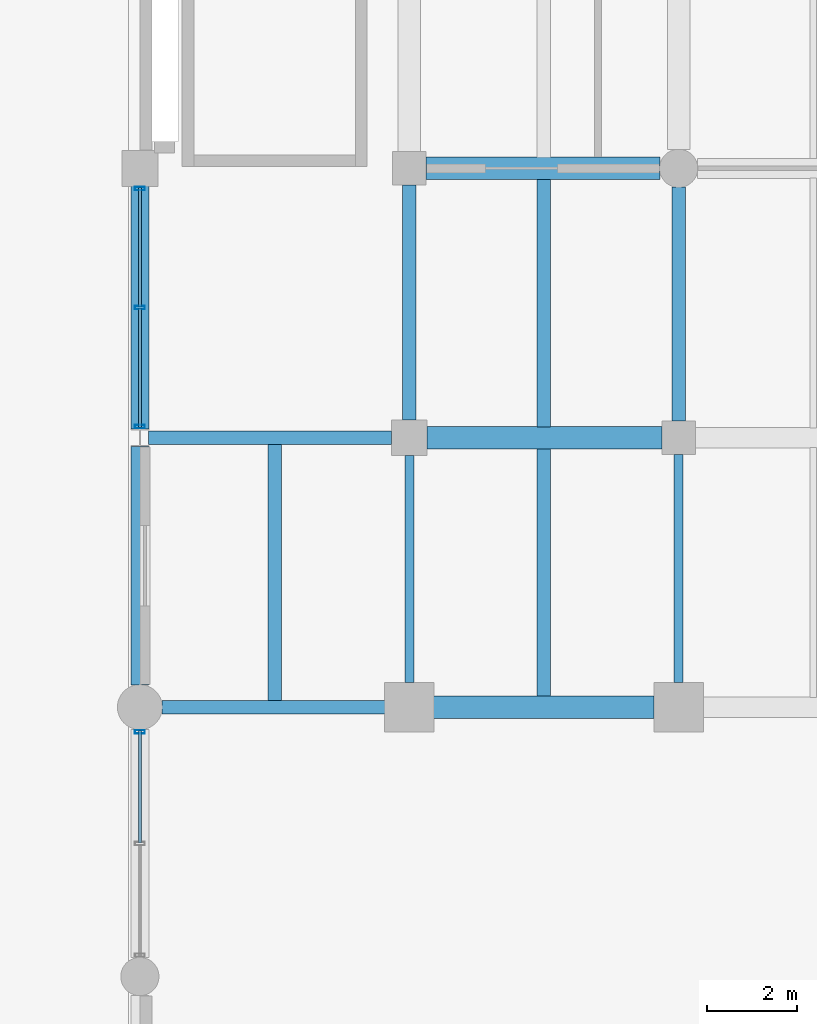
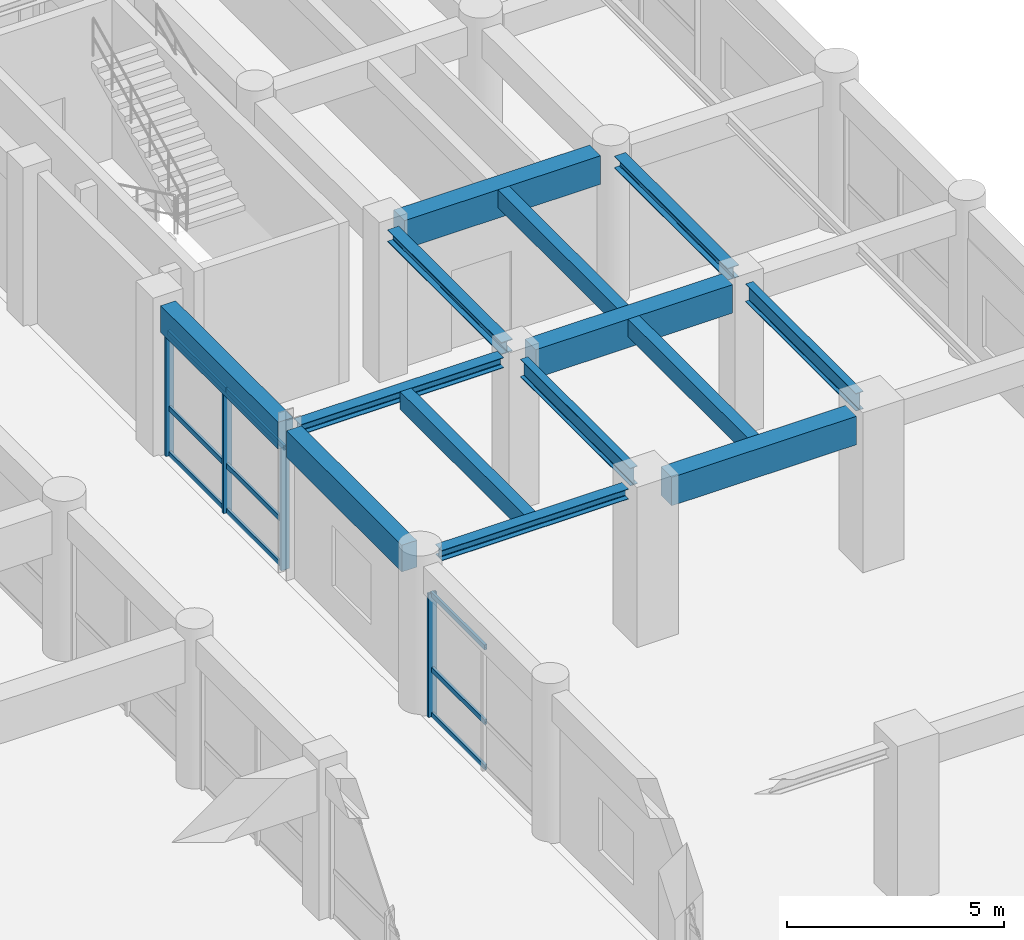
# One storey, part 73 of 133: 14 beams, 13 members, 2 elements without a shape of their own.
"""IFC4 building model written with IfcOpenShell, lengths in metres."""

from ifc_helpers import new_model, si_unit, direction, frame, origin, origin_2d, place, context, subcontext, project, spatial, rectangle, hollow_rectangle, i_section, extrude, material, material_profile, profile_set, type_object, element, aggregate, save


model = new_model("IFC4")

# Units and contexts
model_context = context("Model", 3, precision=1e-05, world=origin(), true_north=direction((0.0, 1.0)))
body_context = subcontext(model_context, "Body", "Model", "MODEL_VIEW")
ifc_project = project(units=[si_unit("LENGTHUNIT", "METRE"), si_unit("AREAUNIT", "SQUARE_METRE"), si_unit("VOLUMEUNIT", "CUBIC_METRE"), si_unit("PLANEANGLEUNIT", "RADIAN"), si_unit("MASSUNIT", "GRAM", prefix="KILO"), si_unit("THERMODYNAMICTEMPERATUREUNIT", "KELVIN"), si_unit("POWERUNIT", "WATT")], contexts=[model_context])

# Site, building, storey
site_placement = place(None, origin())
site = spatial("IfcSite", under=ifc_project, at=site_placement, CompositionType="ELEMENT")
building_placement = place(site_placement, origin())
building = spatial("IfcBuilding", under=site, at=building_placement, Name="Phaisarnlok Congress Hotel", CompositionType="ELEMENT")
storey_placement = place(building_placement, frame((0.0, 0.0, 6.0)))
storey = spatial("IfcBuildingStorey", under=building, at=storey_placement, Name="L01", CompositionType="ELEMENT", Elevation=6.0)

# Beams
ifc_material_1 = material(Name="Concrete C40/50", Category="concrete")
ifc_material_profile_1 = material_profile(ifc_material_1, rectangle(XDim=0.5, YDim=0.800048828125, at=origin_2d()), Name="RC 500x800")
ifc_profile_set_1 = profile_set([ifc_material_profile_1], Name="Concrete C40/50")
beam_type_1 = type_object("IfcBeamType", Name="BM-RC-500x800", PredefinedType="BEAM", material=ifc_profile_set_1)
beam_1_placement = place(storey_placement, frame((168.544921875, 66.0, 3.820068359375), z_axis=(1.0, 0.0, 0.0), x_axis=(0.0, 1.0, 0.0)))
element("IfcBeam", 1, at=beam_1_placement, inside=storey, type_object=beam_type_1, Name="Beam B-04", PredefinedType="BEAM", context=body_context, shape_type="SweptSolid", body=[
    extrude(rectangle(XDim=0.5, YDim=0.800048828125, at=origin_2d()), origin(), (0.0, 0.0, 1.0), 4.91015625),
])
beam_2_placement = place(storey_placement, frame((168.39501953125, 72.0, 3.820068359375), z_axis=(1.0, 0.0, 0.0), x_axis=(0.0, 1.0, 0.0)))
element("IfcBeam", 2, at=beam_2_placement, inside=storey, type_object=beam_type_1, Name="Beam B-04", PredefinedType="BEAM", context=body_context, shape_type="SweptSolid", body=[
    extrude(rectangle(XDim=0.5, YDim=0.800048828125, at=origin_2d()), origin(), (0.0, 0.0, 1.0), 5.23486328125),
])
beam_3_placement = place(storey_placement, frame((168.3701171875, 78.0, 3.820068359375), z_axis=(1.0, 0.0, 0.0), x_axis=(0.0, 1.0, 0.0)))
element("IfcBeam", 3, at=beam_3_placement, inside=storey, type_object=beam_type_1, Name="Beam B-04", PredefinedType="BEAM", context=body_context, shape_type="SweptSolid", body=[
    extrude(rectangle(XDim=0.5, YDim=0.800048828125, at=origin_2d()), origin(), (0.0, 0.0, 1.0), 5.2099609375),
])
ifc_material_2 = material(Name="Steel S355", Category="steel")
ifc_material_profile_2 = material_profile(ifc_material_2, i_section(OverallWidth=0.300048828125, OverallDepth=0.2900390625, WebThickness=0.008544921875, FlangeThickness=0.013916015625, FilletRadius=0.027099609375, at=origin_2d()), Name="HEA 300")
ifc_profile_set_2 = profile_set([ifc_material_profile_2], Name="Steel S355")
beam_type_2 = type_object("IfcBeamType", Name="BM-STL-HEA300", PredefinedType="BEAM", material=ifc_profile_set_2)
beam_4_placement = place(storey_placement, frame((162.4951171875, 66.0, 4.074951171875), z_axis=(1.0, 0.0, 0.0), x_axis=(0.0, 1.0, 0.0)))
element("IfcBeam", 4, at=beam_4_placement, inside=storey, type_object=beam_type_2, Name="Beam SB-05", PredefinedType="BEAM", context=body_context, shape_type="SweptSolid", body=[
    extrude(i_section(OverallWidth=0.300048828125, OverallDepth=0.2900390625, WebThickness=0.008544921875, FlangeThickness=0.013916015625, FilletRadius=0.027099609375, at=origin_2d()), origin(), (0.0, 0.0, 1.0), 4.9599609375),
])
beam_5_placement = place(storey_placement, frame((162.195556640625, 72.0, 4.074951171875), z_axis=(1.0, 0.0, 0.0), x_axis=(0.0, 1.0, 0.0)))
element("IfcBeam", 5, at=beam_5_placement, inside=storey, type_object=beam_type_2, Name="Beam SB-05", PredefinedType="BEAM", context=body_context, shape_type="SweptSolid", body=[
    extrude(i_section(OverallWidth=0.300048828125, OverallDepth=0.2900390625, WebThickness=0.008544921875, FlangeThickness=0.013916015625, FilletRadius=0.027099609375, at=origin_2d()), origin(), (0.0, 0.0, 1.0), 5.409423828125),
])
ifc_material_profile_3 = material_profile(ifc_material_2, i_section(OverallWidth=0.300048828125, OverallDepth=0.340087890625, WebThickness=0.011962890625, FlangeThickness=0.021484375, FilletRadius=0.027099609375, at=origin_2d()), Name="HEB 340")
ifc_profile_set_3 = profile_set([ifc_material_profile_3], Name="Steel S355")
beam_type_3 = type_object("IfcBeamType", Name="BM-STL-HEB340", PredefinedType="BEAM", material=ifc_profile_set_3)
beam_6_placement = place(storey_placement, frame((168.0, 72.39501953125, 4.050048828125), z_axis=(0.0, 1.0, 0.0), x_axis=(-1.0, 0.0, 0.0)))
element("IfcBeam", 6, at=beam_6_placement, inside=storey, type_object=beam_type_3, Name="Beam SB-07", PredefinedType="BEAM", context=body_context, shape_type="SweptSolid", body=[
    extrude(i_section(OverallWidth=0.300048828125, OverallDepth=0.340087890625, WebThickness=0.011962890625, FlangeThickness=0.021484375, FilletRadius=0.027099609375, at=origin_2d()), origin(), (0.0, 0.0, 1.0), 5.23486328125),
])
beam_7_placement = place(storey_placement, frame((174.0, 72.3701171875, 4.050048828125), z_axis=(0.0, 1.0, 0.0), x_axis=(-1.0, 0.0, 0.0)))
element("IfcBeam", 7, at=beam_7_placement, inside=storey, type_object=beam_type_3, Name="Beam SB-07", PredefinedType="BEAM", context=body_context, shape_type="SweptSolid", body=[
    extrude(i_section(OverallWidth=0.300048828125, OverallDepth=0.340087890625, WebThickness=0.011962890625, FlangeThickness=0.021484375, FilletRadius=0.027099609375, at=origin_2d()), origin(), (0.0, 0.0, 1.0), 5.2099609375),
])
ifc_material_profile_4 = material_profile(ifc_material_2, i_section(OverallWidth=0.199951171875, OverallDepth=0.5, WebThickness=0.01025390625, FlangeThickness=0.01611328125, FilletRadius=0.02099609375, at=origin_2d()), Name="IPE 500")
ifc_profile_set_4 = profile_set([ifc_material_profile_4], Name="Steel S355")
beam_type_4 = type_object("IfcBeamType", Name="BM-STL-IPE500", PredefinedType="BEAM", material=ifc_profile_set_4)
beam_8_placement = place(storey_placement, frame((168.0, 66.544921875, 3.969970703125), z_axis=(0.0, 1.0, 0.0), x_axis=(-1.0, 0.0, 0.0)))
element("IfcBeam", 8, at=beam_8_placement, inside=storey, type_object=beam_type_4, Name="Beam SB-02", PredefinedType="BEAM", context=body_context, shape_type="SweptSolid", body=[
    extrude(i_section(OverallWidth=0.199951171875, OverallDepth=0.5, WebThickness=0.01025390625, FlangeThickness=0.01611328125, FilletRadius=0.02099609375, at=origin_2d()), origin(), (0.0, 0.0, 1.0), 5.06005859375),
])
beam_9_placement = place(storey_placement, frame((174.0, 66.544921875, 3.969970703125), z_axis=(0.0, 1.0, 0.0), x_axis=(-1.0, 0.0, 0.0)))
element("IfcBeam", 9, at=beam_9_placement, inside=storey, type_object=beam_type_4, Name="Beam SB-02", PredefinedType="BEAM", context=body_context, shape_type="SweptSolid", body=[
    extrude(i_section(OverallWidth=0.199951171875, OverallDepth=0.5, WebThickness=0.01025390625, FlangeThickness=0.01611328125, FilletRadius=0.02099609375, at=origin_2d()), origin(), (0.0, 0.0, 1.0), 5.0849609375),
])

# Curtain wall, members
ifc_material_3 = material(Name="Thermally Broken Unitised Aluminium & Low-E Glazing", Category="aluminium")
curtain_wall_type_1 = type_object("IfcCurtainWallType", Name="CW-UNIT-14", PredefinedType="NOTDEFINED", material=ifc_material_3)
curtain_wall_1_placement = place(storey_placement, origin())
curtain_wall_1 = element("IfcCurtainWall", 10, at=curtain_wall_1_placement, inside=storey, type_object=curtain_wall_type_1, Name="Unitised curtain wall CW-14 (L01)", PredefinedType="NOTDEFINED")
ifc_material_4 = material(Name="Anodised Aluminium Alloy 6063-T6", Category="aluminium")
ifc_material_profile_5 = material_profile(ifc_material_4, hollow_rectangle(XDim=0.074951171875, YDim=0.219970703125, WallThickness=0.0048828125, at=origin_2d()), Name="ALU-M 75x220x5")
ifc_profile_set_5 = profile_set([ifc_material_profile_5], Name="Anodised Aluminium Alloy 6063-T6")
member_type_1 = type_object("IfcMemberType", Name="CWM-220", PredefinedType="MULLION", material=ifc_profile_set_5)
member_1_placement = place(storey_placement, frame((162.0, 77.550048828125, 0.0), z_axis=(0.0, 0.0, 1.0), x_axis=(0.0, -1.0, 0.0)))
member_1 = element("IfcMember", 11, at=member_1_placement, type_object=member_type_1, Name="Curtain wall mullion CWM-02", PredefinedType="MULLION", context=body_context, shape_type="SweptSolid", body=[
    extrude(hollow_rectangle(XDim=0.074951171875, YDim=0.219970703125, WallThickness=0.0048828125, at=origin_2d()), origin(), (0.0, 0.0, 1.0), 3.469970703125),
])
member_2_placement = place(storey_placement, frame((162.0, 74.899658203125, 0.0), z_axis=(0.0, 0.0, 1.0), x_axis=(0.0, -1.0, 0.0)))
member_2 = element("IfcMember", 12, at=member_2_placement, type_object=member_type_1, Name="Curtain wall mullion CWM-02", PredefinedType="MULLION", context=body_context, shape_type="SweptSolid", body=[
    extrude(hollow_rectangle(XDim=0.074951171875, YDim=0.219970703125, WallThickness=0.0048828125, at=origin_2d()), origin(), (0.0, 0.0, 1.0), 3.469970703125),
])
member_3_placement = place(storey_placement, frame((162.0, 72.24951171875, 0.0), z_axis=(0.0, 0.0, 1.0), x_axis=(0.0, -1.0, 0.0)))
member_3 = element("IfcMember", 13, at=member_3_placement, type_object=member_type_1, Name="Curtain wall mullion CWM-02", PredefinedType="MULLION", context=body_context, shape_type="SweptSolid", body=[
    extrude(hollow_rectangle(XDim=0.074951171875, YDim=0.219970703125, WallThickness=0.0048828125, at=origin_2d()), origin(), (0.0, 0.0, 1.0), 3.469970703125),
])

# Curtain wall, member
curtain_wall_type_2 = type_object("IfcCurtainWallType", Name="CW-UNIT-12", PredefinedType="NOTDEFINED", material=ifc_material_3)
curtain_wall_2_placement = place(storey_placement, origin())
curtain_wall_2 = element("IfcCurtainWall", 14, at=curtain_wall_2_placement, inside=storey, type_object=curtain_wall_type_2, Name="Unitised curtain wall CW-12 (L01)", PredefinedType="NOTDEFINED")
member_4_placement = place(storey_placement, frame((162.0, 65.449951171875, 0.0), z_axis=(0.0, 0.0, 1.0), x_axis=(0.0, -1.0, 0.0)))
member_4 = element("IfcMember", 15, at=member_4_placement, type_object=member_type_1, Name="Curtain wall mullion CWM-02", PredefinedType="MULLION", context=body_context, shape_type="SweptSolid", body=[
    extrude(hollow_rectangle(XDim=0.074951171875, YDim=0.219970703125, WallThickness=0.0048828125, at=origin_2d()), origin(), (0.0, 0.0, 1.0), 3.469970703125),
])

# Member
ifc_material_profile_6 = material_profile(ifc_material_4, hollow_rectangle(XDim=0.06494140625, YDim=0.139892578125, WallThickness=0.00390625, at=origin_2d()), Name="ALU-T 65x140x4")
ifc_profile_set_6 = profile_set([ifc_material_profile_6], Name="Anodised Aluminium Alloy 6063-T6")
member_type_2 = type_object("IfcMemberType", Name="CWT-150", PredefinedType="USERDEFINED", material=ifc_profile_set_6)
member_5_placement = place(storey_placement, frame((162.0, 77.574951171875, 0.050048828125), z_axis=(0.0, -1.0, 0.0), x_axis=(1.0, 0.0, 0.0)))
member_5 = element("IfcMember", 16, at=member_5_placement, type_object=member_type_2, Name="Curtain wall transom CWT-01", ObjectType="TRANSOM", PredefinedType="USERDEFINED", context=body_context, shape_type="SweptSolid", body=[
    extrude(hollow_rectangle(XDim=0.06494140625, YDim=0.139892578125, WallThickness=0.00390625, at=origin_2d()), origin(), (0.0, 0.0, 1.0), 2.66015625),
])

member_6_placement = place(storey_placement, frame((162.0, 77.574951171875, 1.318603515625), z_axis=(0.0, -1.0, 0.0), x_axis=(1.0, 0.0, 0.0)))
member_6 = element("IfcMember", 17, at=member_6_placement, type_object=member_type_2, Name="Curtain wall transom CWT-01", ObjectType="TRANSOM", PredefinedType="USERDEFINED", context=body_context, shape_type="SweptSolid", body=[
    extrude(hollow_rectangle(XDim=0.06494140625, YDim=0.139892578125, WallThickness=0.00390625, at=origin_2d()), origin(), (0.0, 0.0, 1.0), 2.66015625),
])

member_7_placement = place(storey_placement, frame((162.0, 77.574951171875, 3.419921875), z_axis=(0.0, -1.0, 0.0), x_axis=(1.0, 0.0, 0.0)))
member_7 = element("IfcMember", 18, at=member_7_placement, type_object=member_type_2, Name="Curtain wall transom CWT-01", ObjectType="TRANSOM", PredefinedType="USERDEFINED", context=body_context, shape_type="SweptSolid", body=[
    extrude(hollow_rectangle(XDim=0.06494140625, YDim=0.139892578125, WallThickness=0.00390625, at=origin_2d()), origin(), (0.0, 0.0, 1.0), 2.66015625),
])

member_8_placement = place(storey_placement, frame((162.0, 74.884765625, 0.050048828125), z_axis=(0.0, -1.0, 0.0), x_axis=(1.0, 0.0, 0.0)))
member_8 = element("IfcMember", 19, at=member_8_placement, type_object=member_type_2, Name="Curtain wall transom CWT-01", ObjectType="TRANSOM", PredefinedType="USERDEFINED", context=body_context, shape_type="SweptSolid", body=[
    extrude(hollow_rectangle(XDim=0.06494140625, YDim=0.139892578125, WallThickness=0.00390625, at=origin_2d()), origin(), (0.0, 0.0, 1.0), 2.66015625),
])

member_9_placement = place(storey_placement, frame((162.0, 74.884765625, 1.318603515625), z_axis=(0.0, -1.0, 0.0), x_axis=(1.0, 0.0, 0.0)))
member_9 = element("IfcMember", 20, at=member_9_placement, type_object=member_type_2, Name="Curtain wall transom CWT-01", ObjectType="TRANSOM", PredefinedType="USERDEFINED", context=body_context, shape_type="SweptSolid", body=[
    extrude(hollow_rectangle(XDim=0.06494140625, YDim=0.139892578125, WallThickness=0.00390625, at=origin_2d()), origin(), (0.0, 0.0, 1.0), 2.66015625),
])

member_10_placement = place(storey_placement, frame((162.0, 74.884765625, 3.419921875), z_axis=(0.0, -1.0, 0.0), x_axis=(1.0, 0.0, 0.0)))
member_10 = element("IfcMember", 21, at=member_10_placement, type_object=member_type_2, Name="Curtain wall transom CWT-01", ObjectType="TRANSOM", PredefinedType="USERDEFINED", context=body_context, shape_type="SweptSolid", body=[
    extrude(hollow_rectangle(XDim=0.06494140625, YDim=0.139892578125, WallThickness=0.00390625, at=origin_2d()), origin(), (0.0, 0.0, 1.0), 2.66015625),
])

aggregate(curtain_wall_1, [member_1, member_2, member_3, member_5, member_6, member_7, member_8, member_9, member_10])

member_11_placement = place(storey_placement, frame((162.0, 65.47509765625, 0.050048828125), z_axis=(0.0, -1.0, 0.0), x_axis=(1.0, 0.0, 0.0)))
member_11 = element("IfcMember", 22, at=member_11_placement, type_object=member_type_2, Name="Curtain wall transom CWT-01", ObjectType="TRANSOM", PredefinedType="USERDEFINED", context=body_context, shape_type="SweptSolid", body=[
    extrude(hollow_rectangle(XDim=0.06494140625, YDim=0.139892578125, WallThickness=0.00390625, at=origin_2d()), origin(), (0.0, 0.0, 1.0), 2.49755859375),
])

member_12_placement = place(storey_placement, frame((162.0, 65.47509765625, 1.318603515625), z_axis=(0.0, -1.0, 0.0), x_axis=(1.0, 0.0, 0.0)))
member_12 = element("IfcMember", 23, at=member_12_placement, type_object=member_type_2, Name="Curtain wall transom CWT-01", ObjectType="TRANSOM", PredefinedType="USERDEFINED", context=body_context, shape_type="SweptSolid", body=[
    extrude(hollow_rectangle(XDim=0.06494140625, YDim=0.139892578125, WallThickness=0.00390625, at=origin_2d()), origin(), (0.0, 0.0, 1.0), 2.49755859375),
])

member_13_placement = place(storey_placement, frame((162.0, 65.47509765625, 3.419921875), z_axis=(0.0, -1.0, 0.0), x_axis=(1.0, 0.0, 0.0)))
member_13 = element("IfcMember", 24, at=member_13_placement, type_object=member_type_2, Name="Curtain wall transom CWT-01", ObjectType="TRANSOM", PredefinedType="USERDEFINED", context=body_context, shape_type="SweptSolid", body=[
    extrude(hollow_rectangle(XDim=0.06494140625, YDim=0.139892578125, WallThickness=0.00390625, at=origin_2d()), origin(), (0.0, 0.0, 1.0), 2.49755859375),
])

aggregate(curtain_wall_2, [member_4, member_11, member_12, member_13])

# Beams
ifc_material_profile_7 = material_profile(ifc_material_1, rectangle(XDim=0.300048828125, YDim=0.5, at=origin_2d()), Name="RC 300x500")
ifc_profile_set_7 = profile_set([ifc_material_profile_7], Name="Concrete C40/50")
beam_type_5 = type_object("IfcBeamType", Name="JS-RC-300x500", PredefinedType="JOIST", material=ifc_profile_set_7)
beam_10_placement = place(storey_placement, frame((165.0, 66.14501953125, 3.969970703125), z_axis=(0.0, 1.0, 0.0), x_axis=(-1.0, 0.0, 0.0)))
element("IfcBeam", 25, at=beam_10_placement, inside=storey, type_object=beam_type_5, Name="Secondary floor joist J-01", PredefinedType="JOIST", context=body_context, shape_type="SweptSolid", body=[
    extrude(rectangle(XDim=0.300048828125, YDim=0.5, at=origin_2d()), origin(), (0.0, 0.0, 1.0), 5.7099609375),
])
for number, where, z_axis, x_axis, name in (
    (26, (171.0, 66.2451171875, 3.969970703125), (0.0, 1.0, 0.0), (-1.0, 0.0, 0.0), "Secondary floor joist J-01"),
    (27, (171.0, 72.2451171875, 3.969970703125), (0.0, 1.0, 0.0), (-1.0, 0.0, 0.0), "Secondary floor joist J-01"),
):
    element("IfcBeam", number, at=place(storey_placement, frame(where, z_axis=z_axis, x_axis=x_axis)), inside=storey, type_object=beam_type_5, Name=name, PredefinedType="JOIST", context=body_context, shape_type="SweptSolid", body=[
        extrude(rectangle(XDim=0.300048828125, YDim=0.5, at=origin_2d()), origin(), (0.0, 0.0, 1.0), 5.509765625),
    ])
ifc_material_profile_8 = material_profile(ifc_material_1, rectangle(XDim=0.39990234375, YDim=0.75, at=origin_2d()), Name="RC 400x750")
ifc_profile_set_8 = profile_set([ifc_material_profile_8], Name="Concrete C40/50")
beam_type_6 = type_object("IfcBeamType", Name="SP-RC-400x750", PredefinedType="SPANDREL", material=ifc_profile_set_8)
beam_11_placement = place(storey_placement, frame((162.0, 66.4951171875, 3.844970703125), z_axis=(0.0, 1.0, 0.0), x_axis=(-1.0, 0.0, 0.0)))
element("IfcBeam", 28, at=beam_11_placement, inside=storey, type_object=beam_type_6, Name="Beam SP-02", PredefinedType="SPANDREL", context=body_context, shape_type="SweptSolid", body=[
    extrude(rectangle(XDim=0.39990234375, YDim=0.75, at=origin_2d()), origin(), (0.0, 0.0, 1.0), 5.310302734375),
])
beam_12_placement = place(storey_placement, frame((162.0, 72.194580078125, 3.844970703125), z_axis=(0.0, 1.0, 0.0), x_axis=(-1.0, 0.0, 0.0)))
element("IfcBeam", 29, at=beam_12_placement, inside=storey, type_object=beam_type_6, Name="Beam SP-02", PredefinedType="SPANDREL", context=body_context, shape_type="SweptSolid", body=[
    extrude(rectangle(XDim=0.39990234375, YDim=0.75, at=origin_2d()), origin(), (0.0, 0.0, 1.0), 5.410400390625),
])

save(model, "model.ifc")
